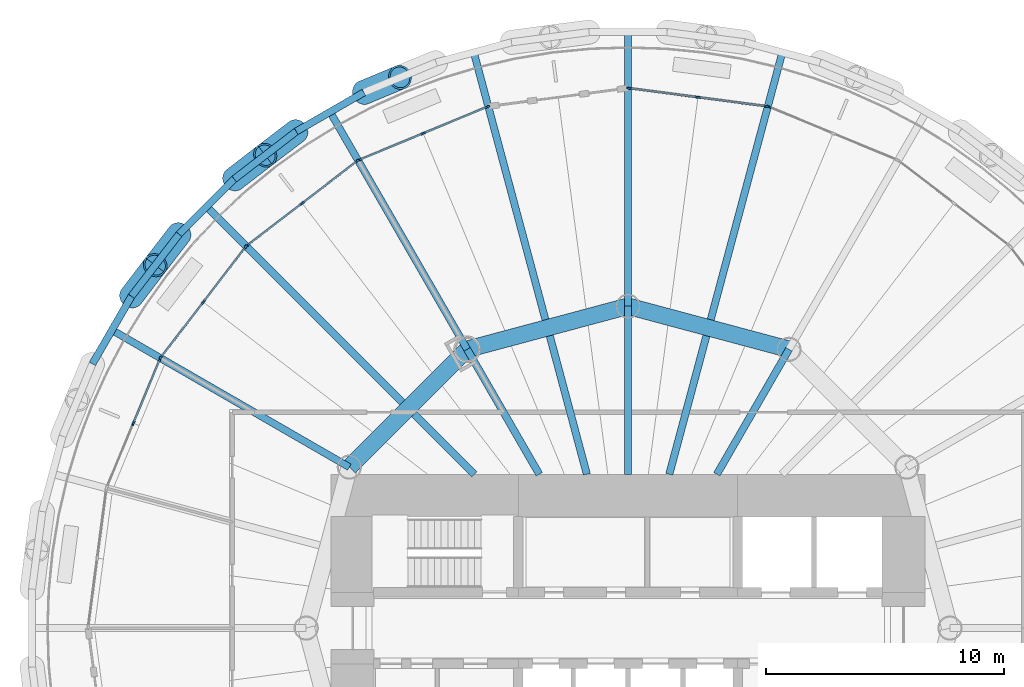
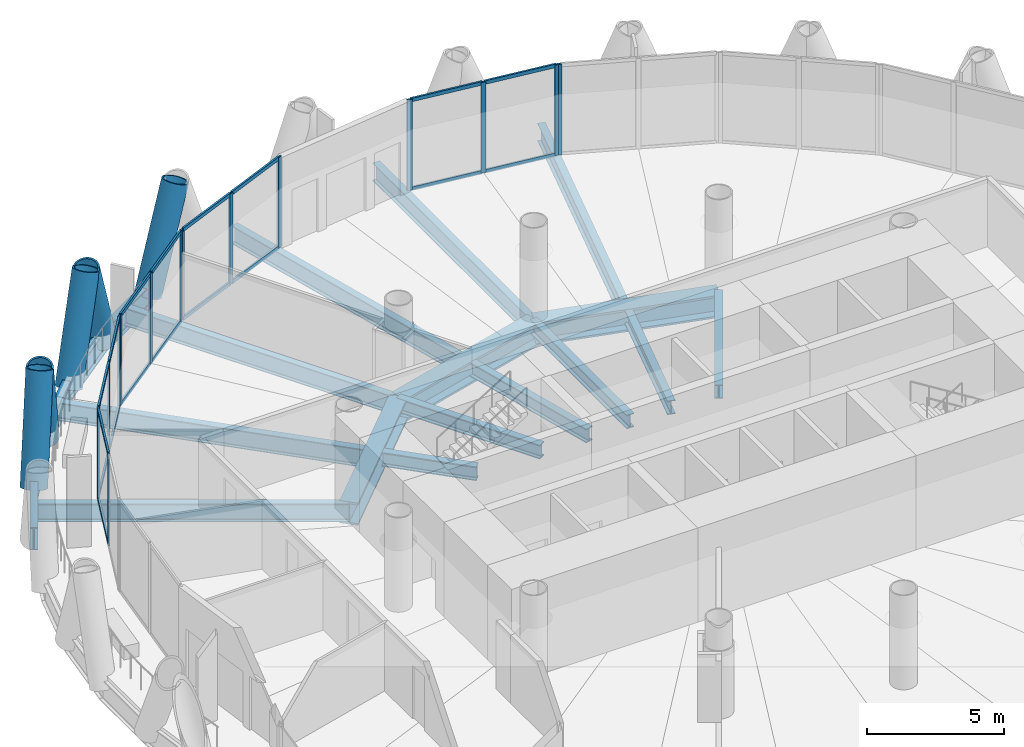
# One storey, part 6 of 15: 38 members, 20 beams, 6 elements without a shape of their own.
"""IFC4 building model written with IfcOpenShell, lengths in metres."""

import ifcopenshell
import ifcopenshell.guid

model = None  # the IFC model being written
_history = None  # IfcOwnerHistory: only IFC2X3 demands one
_inside = {}  # id of a spatial element -> (the spatial element, [elements in it])
_under = {}  # id of a project, library or spatial element -> (it, [spatial elements below it])
_declared = {}  # id of a project -> (the project, [libraries it declares])
_typed = {}  # id of a type object -> (the type object, [elements of that type])
_made_of = {}  # id of a material, layer set ... -> (it, [elements and type objects made of it])


def new_model(schema):
    """Start an empty IFC model of exactly this schema.

    Asked for "IFC4X3", IfcOpenShell would pick the latest addendum, in which some entities
    have other attributes; the version numbers below select the first issue.
    IFC2X3 requires an IfcOwnerHistory on every rooted entity: one is made here for all.
    """
    global model, _history
    if schema == "IFC4X3":
        model = ifcopenshell.file(schema_version=(4, 3, 0, 0))
    else:
        model = ifcopenshell.file(schema=schema)
    _inside.clear()
    _under.clear()
    _declared.clear()
    _typed.clear()
    _made_of.clear()
    _history = None
    if model.schema == "IFC2X3":
        org = make("IfcOrganization", Name="unknown")
        user = make(
            "IfcPersonAndOrganization",
            ThePerson=make("IfcPerson", FamilyName="unknown"),
            TheOrganization=org,
        )
        app = make(
            "IfcApplication",
            ApplicationDeveloper=org,
            Version="unknown",
            ApplicationFullName="unknown",
            ApplicationIdentifier="unknown",
        )
        _history = make(
            "IfcOwnerHistory",
            OwningUser=user,
            OwningApplication=app,
            ChangeAction="ADDED",
            CreationDate=0,
        )
    return model


def make(cls, **values):
    """One entity of the class cls with the attributes given. An attribute that is None is left unset."""
    return model.create_entity(
        cls, **{name: value for name, value in values.items() if value is not None}
    )


def rooted(cls, **values):
    """An entity with a GlobalId (a new one), such as an element, a storey or a relation."""
    return make(cls, GlobalId=ifcopenshell.guid.new(), OwnerHistory=_history, **values)


def si_unit(unit_type, name, prefix=None):
    """IfcSIUnit, for example si_unit("LENGTHUNIT", "METRE", prefix="MILLI")."""
    return make("IfcSIUnit", UnitType=unit_type, Prefix=prefix, Name=name)


def assignment(units):
    """IfcUnitAssignment: the units of a project."""
    return None if units is None else make("IfcUnitAssignment", Units=units)


def point(xyz):
    """IfcCartesianPoint."""
    return None if xyz is None else make("IfcCartesianPoint", Coordinates=xyz)


def direction(xyz):
    """IfcDirection."""
    return None if xyz is None else make("IfcDirection", DirectionRatios=xyz)


def frame(location, z_axis=None, x_axis=None):
    """IfcAxis2Placement3D, a coordinate frame: its origin and axes. An axis left out is left unset."""
    return make(
        "IfcAxis2Placement3D",
        Location=point(location),
        Axis=direction(z_axis),
        RefDirection=direction(x_axis),
    )


def frame_2d(location, x_axis=None):
    """IfcAxis2Placement2D, a coordinate frame in the plane: its origin and x axis."""
    return make(
        "IfcAxis2Placement2D", Location=point(location), RefDirection=direction(x_axis)
    )


def origin():
    """The frame at (0, 0, 0) with its axes left unset."""
    return frame((0.0, 0.0, 0.0))


def origin_2d():
    """The frame at (0, 0) in the plane with its x axis left unset."""
    return frame_2d((0.0, 0.0))


def place(relative_to, where):
    """IfcLocalPlacement: puts the frame where relative to a parent placement (None: the world)."""
    return make(
        "IfcLocalPlacement", PlacementRelTo=relative_to, RelativePlacement=where
    )


def context(
    kind, dimensions, precision=None, world=None, true_north=None, identifier=None
):
    """IfcGeometricRepresentationContext, for example the 3D "Model" context."""
    return make(
        "IfcGeometricRepresentationContext",
        ContextIdentifier=identifier,
        ContextType=kind,
        CoordinateSpaceDimension=dimensions,
        Precision=precision,
        WorldCoordinateSystem=world,
        TrueNorth=true_north,
    )


def subcontext(parent, identifier, kind, view, scale=None):
    """IfcGeometricRepresentationSubContext, for example "Body" below "Model"."""
    return make(
        "IfcGeometricRepresentationSubContext",
        ContextIdentifier=identifier,
        ContextType=kind,
        ParentContext=parent,
        TargetScale=scale,
        TargetView=view,
    )


def project(units=None, contexts=None):
    """IfcProject with its units and contexts."""
    return rooted(
        "IfcProject",
        Name="project",
        RepresentationContexts=contexts,
        UnitsInContext=assignment(units),
    )


def spatial(cls, under=None, at=None, **own):
    """A site, building, storey or space (cls), placed at a placement, below another one or the project."""
    s = rooted(cls, ObjectPlacement=at, **own)
    if under is not None:
        _under.setdefault(under.id(), (under, []))[1].append(s)
    return s


def profile(cls, at=None, kind="AREA", **sizes):
    """A parametric profile (cls). Its sizes go by their IFC names, for example OverallWidth=200.0."""
    return make(cls, ProfileType=kind, Position=at, **sizes)


def rectangle(**sizes):
    """IfcRectangleProfileDef."""
    return profile("IfcRectangleProfileDef", **sizes)


def hollow_circle(**sizes):
    """IfcCircleHollowProfileDef."""
    return profile("IfcCircleHollowProfileDef", **sizes)


def i_section(**sizes):
    """IfcIShapeProfileDef."""
    return profile("IfcIShapeProfileDef", **sizes)


def extrude(swept, where, along, depth):
    """IfcExtrudedAreaSolid: the profile swept, set in the frame where, extruded along a direction by depth."""
    return make(
        "IfcExtrudedAreaSolid",
        SweptArea=swept,
        Position=where,
        ExtrudedDirection=direction(along),
        Depth=depth,
    )


def shape(context_of_items, identifier, shape_type, items):
    """IfcShapeRepresentation: the items that make up one representation, for example the "Body"."""
    return make(
        "IfcShapeRepresentation",
        ContextOfItems=context_of_items,
        RepresentationIdentifier=identifier,
        RepresentationType=shape_type,
        Items=items,
    )


def material(Name=None, Category=None):
    """IfcMaterial."""
    return make("IfcMaterial", Name=Name, Category=Category)


def material_profile(
    of_material, cross_section, Name=None, Category=None, Priority=None
):
    """IfcMaterialProfile: a cross section and its material."""
    return make(
        "IfcMaterialProfile",
        Name=Name,
        Material=of_material,
        Profile=cross_section,
        Priority=Priority,
        Category=Category,
    )


def profile_set(profiles, Name=None, composite=None):
    """IfcMaterialProfileSet."""
    return make(
        "IfcMaterialProfileSet",
        Name=Name,
        MaterialProfiles=profiles,
        CompositeProfile=composite,
    )


def made_of(thing, what):
    """Note that an element or type object is made of a material, layer set ...; save() writes the relation."""
    if what is not None:
        _made_of.setdefault(what.id(), (what, []))[1].append(thing)
    return thing


def type_object(cls, material=None, **own):
    """A type object (cls), such as IfcWallType, which elements share."""
    return made_of(rooted(cls, **own), material)


def element(
    cls,
    number,
    at=None,
    inside=None,
    cuts=None,
    type_object=None,
    material=None,
    context=None,
    identifier="Body",
    shape_type=None,
    held_by="IfcProductDefinitionShape",
    body=None,
    shapes=None,
    **own,
):
    """One element of the class cls, such as IfcWall. Its Tag is "e" and its number.

    at: its placement. inside: the storey or other place that contains it. cuts: it is an
    opening in that element (IfcRelVoidsElement). A single representation is given by context,
    identifier, shape_type and body (its items); several are given by shapes. held_by: the class
    of the entity that holds the representations. save() writes the other relations.
    """
    e = rooted(cls, Tag="e%d" % number, ObjectPlacement=at, **own)
    if body is not None:
        shapes = [shape(context, identifier, shape_type, body)]
    if shapes is not None:
        e.Representation = make(held_by, Representations=shapes)
    if inside is not None:
        _inside.setdefault(inside.id(), (inside, []))[1].append(e)
    if cuts is not None:
        rooted(
            "IfcRelVoidsElement", RelatingBuildingElement=cuts, RelatedOpeningElement=e
        )
    if type_object is not None:
        _typed.setdefault(type_object.id(), (type_object, []))[1].append(e)
    return made_of(e, material)


def aggregate(whole, parts):
    """IfcRelAggregates: a whole, such as a stair, and the parts it consists of."""
    return rooted("IfcRelAggregates", RelatingObject=whole, RelatedObjects=parts)


def save(model, path):
    """Write the relations noted so far, then the file.

    IfcRelAggregates (storeys below a building ...), IfcRelContainedInSpatialStructure (elements
    in a storey), IfcRelDefinesByType, IfcRelAssociatesMaterial and IfcRelDeclares: one each for
    every whole, place, type object, material and project.
    """
    for whole, parts in _under.values():
        aggregate(whole, parts)
    for where, things in _inside.values():
        rooted(
            "IfcRelContainedInSpatialStructure",
            RelatedElements=things,
            RelatingStructure=where,
        )
    for kind, things in _typed.values():
        rooted("IfcRelDefinesByType", RelatedObjects=things, RelatingType=kind)
    for what, things in _made_of.values():
        rooted("IfcRelAssociatesMaterial", RelatedObjects=things, RelatingMaterial=what)
    for by, libraries in _declared.values():
        rooted("IfcRelDeclares", RelatingContext=by, RelatedDefinitions=libraries)
    model.write(path)


model = new_model("IFC4")

# Units and contexts
model_context = context("Model", 3, precision=1e-05, world=origin(), true_north=direction((0.0, 1.0)))
body_context = subcontext(model_context, "Body", "Model", "MODEL_VIEW")
ifc_project = project(units=[si_unit("LENGTHUNIT", "METRE"), si_unit("AREAUNIT", "SQUARE_METRE"), si_unit("VOLUMEUNIT", "CUBIC_METRE"), si_unit("PLANEANGLEUNIT", "RADIAN"), si_unit("MASSUNIT", "GRAM", prefix="KILO")], contexts=[model_context])

# Site, building, storey
site_placement = place(None, origin())
site = spatial("IfcSite", under=ifc_project, at=site_placement, CompositionType="ELEMENT")
building_placement = place(site_placement, origin())
building = spatial("IfcBuilding", under=site, at=building_placement, Name="Qaws Media Tower", CompositionType="ELEMENT")
storey_placement = place(building_placement, frame((0.0, 0.0, 131.0)))
storey = spatial("IfcBuildingStorey", under=building, at=storey_placement, Name="L29", CompositionType="ELEMENT", Elevation=131.0)

# Curtain wall, member
ifc_material_1 = material(Name="Aluminium and clear glass", Category="aluminium")
curtain_wall_type = type_object("IfcCurtainWallType", Name="Unitised curtain wall CW-B", PredefinedType="NOTDEFINED", material=ifc_material_1)
curtain_wall_1_placement = place(storey_placement, origin())
curtain_wall_1 = element("IfcCurtainWall", 1, at=curtain_wall_1_placement, inside=storey, type_object=curtain_wall_type, Name="CWB curtain wall L29-05", PredefinedType="NOTDEFINED")
ifc_material_2 = material(Name="Aluminium mullion", Category="aluminium")
ifc_material_profile_1 = material_profile(ifc_material_2, rectangle(XDim=0.080078125, YDim=0.199951171875, at=origin_2d()), Name="80x200")
ifc_profile_set_1 = profile_set([ifc_material_profile_1], Name="Aluminium mullion")
member_type_1 = type_object("IfcMemberType", Name="Curtain wall mullion 80x200", PredefinedType="MULLION", material=ifc_profile_set_1)
member_1_placement = place(storey_placement, frame((65.899169921875, 71.86279296875, 0.0), z_axis=(0.0, 0.0, 1.0), x_axis=(-0.382683472258, -0.923879515987, 0.0)))
member_1 = element("IfcMember", 2, at=member_1_placement, type_object=member_type_1, Name="CWB mullion 3", PredefinedType="MULLION", context=body_context, shape_type="SweptSolid", body=[
    extrude(rectangle(XDim=0.080078125, YDim=0.199951171875, at=origin_2d()), origin(), (0.0, 0.0, 1.0), 4.0400390625),
])
aggregate(curtain_wall_1, [member_1])

# Curtain wall, members
curtain_wall_2_placement = place(storey_placement, origin())
curtain_wall_2 = element("IfcCurtainWall", 3, at=curtain_wall_2_placement, inside=storey, type_object=curtain_wall_type, Name="CWB curtain wall L29-06", PredefinedType="NOTDEFINED")
member_2_placement = place(storey_placement, frame((65.822509765625, 71.883544921875, 0.0), z_axis=(0.0, 0.0, 1.0), x_axis=(-0.130526194608, -0.991444861059, 0.0)))
member_2 = element("IfcMember", 4, at=member_2_placement, type_object=member_type_1, Name="CWB mullion 1", PredefinedType="MULLION", context=body_context, shape_type="SweptSolid", body=[
    extrude(rectangle(XDim=0.080078125, YDim=0.199951171875, at=origin_2d()), origin(), (0.0, 0.0, 1.0), 4.0400390625),
])
member_3_placement = place(storey_placement, frame((62.93115234375, 72.26416015625, 0.0), z_axis=(0.0, 0.0, 1.0), x_axis=(-0.130526194608, -0.991444861059, 0.0)))
member_3 = element("IfcMember", 5, at=member_3_placement, type_object=member_type_1, Name="CWB mullion 2", PredefinedType="MULLION", context=body_context, shape_type="SweptSolid", body=[
    extrude(rectangle(XDim=0.080078125, YDim=0.199951171875, at=origin_2d()), origin(), (0.0, 0.0, 1.0), 4.0400390625),
])
member_4_placement = place(storey_placement, frame((60.03955078125, 72.644775390625, 0.0), z_axis=(0.0, 0.0, 1.0), x_axis=(-0.130526194608, -0.991444861059, 0.0)))
member_4 = element("IfcMember", 6, at=member_4_placement, type_object=member_type_1, Name="CWB mullion 3", PredefinedType="MULLION", context=body_context, shape_type="SweptSolid", body=[
    extrude(rectangle(XDim=0.080078125, YDim=0.199951171875, at=origin_2d()), origin(), (0.0, 0.0, 1.0), 4.0400390625),
])

curtain_wall_3_placement = place(storey_placement, origin())
curtain_wall_3 = element("IfcCurtainWall", 7, at=curtain_wall_3_placement, inside=storey, type_object=curtain_wall_type, Name="CWB curtain wall L29-08", PredefinedType="NOTDEFINED")
member_5_placement = place(storey_placement, frame((54.100830078125, 71.86279296875, 0.0), z_axis=(0.0, 0.0, 1.0), x_axis=(0.382683472258, -0.923879515987, 0.0)))
member_5 = element("IfcMember", 8, at=member_5_placement, type_object=member_type_1, Name="CWB mullion 1", PredefinedType="MULLION", context=body_context, shape_type="SweptSolid", body=[
    extrude(rectangle(XDim=0.080078125, YDim=0.199951171875, at=origin_2d()), origin(), (0.0, 0.0, 1.0), 4.0400390625),
])
member_6_placement = place(storey_placement, frame((51.406494140625, 70.746826171875, 0.0), z_axis=(0.0, 0.0, 1.0), x_axis=(0.382683472258, -0.923879515987, 0.0)))
member_6 = element("IfcMember", 9, at=member_6_placement, type_object=member_type_1, Name="CWB mullion 2", PredefinedType="MULLION", context=body_context, shape_type="SweptSolid", body=[
    extrude(rectangle(XDim=0.080078125, YDim=0.199951171875, at=origin_2d()), origin(), (0.0, 0.0, 1.0), 4.0400390625),
])
member_7_placement = place(storey_placement, frame((48.7119140625, 69.630859375, 0.0), z_axis=(0.0, 0.0, 1.0), x_axis=(0.382683472258, -0.923879515987, 0.0)))
member_7 = element("IfcMember", 10, at=member_7_placement, type_object=member_type_1, Name="CWB mullion 3", PredefinedType="MULLION", context=body_context, shape_type="SweptSolid", body=[
    extrude(rectangle(XDim=0.080078125, YDim=0.199951171875, at=origin_2d()), origin(), (0.0, 0.0, 1.0), 4.0400390625),
])

curtain_wall_4_placement = place(storey_placement, origin())
curtain_wall_4 = element("IfcCurtainWall", 11, at=curtain_wall_4_placement, inside=storey, type_object=curtain_wall_type, Name="CWB curtain wall L29-09", PredefinedType="NOTDEFINED")
member_8_placement = place(storey_placement, frame((48.643310546875, 69.591064453125, 0.0), z_axis=(0.0, 0.0, 1.0), x_axis=(0.608761310482, -0.79335343124, 0.0)))
member_8 = element("IfcMember", 12, at=member_8_placement, type_object=member_type_1, Name="CWB mullion 1", PredefinedType="MULLION", context=body_context, shape_type="SweptSolid", body=[
    extrude(rectangle(XDim=0.080078125, YDim=0.199951171875, at=origin_2d()), origin(), (0.0, 0.0, 1.0), 4.0400390625),
])
member_9_placement = place(storey_placement, frame((46.32958984375, 67.815673828125, 0.0), z_axis=(0.0, 0.0, 1.0), x_axis=(0.608761310482, -0.79335343124, 0.0)))
member_9 = element("IfcMember", 13, at=member_9_placement, type_object=member_type_1, Name="CWB mullion 2", PredefinedType="MULLION", context=body_context, shape_type="SweptSolid", body=[
    extrude(rectangle(XDim=0.080078125, YDim=0.199951171875, at=origin_2d()), origin(), (0.0, 0.0, 1.0), 4.0400390625),
])
member_10_placement = place(storey_placement, frame((44.015869140625, 66.040283203125, 0.0), z_axis=(0.0, 0.0, 1.0), x_axis=(0.608761310482, -0.79335343124, 0.0)))
member_10 = element("IfcMember", 14, at=member_10_placement, type_object=member_type_1, Name="CWB mullion 3", PredefinedType="MULLION", context=body_context, shape_type="SweptSolid", body=[
    extrude(rectangle(XDim=0.080078125, YDim=0.199951171875, at=origin_2d()), origin(), (0.0, 0.0, 1.0), 4.0400390625),
])

curtain_wall_5_placement = place(storey_placement, origin())
curtain_wall_5 = element("IfcCurtainWall", 15, at=curtain_wall_5_placement, inside=storey, type_object=curtain_wall_type, Name="CWB curtain wall L29-10", PredefinedType="NOTDEFINED")
member_11_placement = place(storey_placement, frame((43.959716796875, 65.984130859375, 0.0), z_axis=(0.0, 0.0, 1.0), x_axis=(0.79335343124, -0.608761310482, 0.0)))
member_11 = element("IfcMember", 16, at=member_11_placement, type_object=member_type_1, Name="CWB mullion 1", PredefinedType="MULLION", context=body_context, shape_type="SweptSolid", body=[
    extrude(rectangle(XDim=0.080078125, YDim=0.199951171875, at=origin_2d()), origin(), (0.0, 0.0, 1.0), 4.0400390625),
])
member_12_placement = place(storey_placement, frame((42.184326171875, 63.67041015625, 0.0), z_axis=(0.0, 0.0, 1.0), x_axis=(0.79335343124, -0.608761310482, 0.0)))
member_12 = element("IfcMember", 17, at=member_12_placement, type_object=member_type_1, Name="CWB mullion 2", PredefinedType="MULLION", context=body_context, shape_type="SweptSolid", body=[
    extrude(rectangle(XDim=0.080078125, YDim=0.199951171875, at=origin_2d()), origin(), (0.0, 0.0, 1.0), 4.0400390625),
])
member_13_placement = place(storey_placement, frame((40.408935546875, 61.356689453125, 0.0), z_axis=(0.0, 0.0, 1.0), x_axis=(0.79335343124, -0.608761310482, 0.0)))
member_13 = element("IfcMember", 18, at=member_13_placement, type_object=member_type_1, Name="CWB mullion 3", PredefinedType="MULLION", context=body_context, shape_type="SweptSolid", body=[
    extrude(rectangle(XDim=0.080078125, YDim=0.199951171875, at=origin_2d()), origin(), (0.0, 0.0, 1.0), 4.0400390625),
])

curtain_wall_6_placement = place(storey_placement, origin())
curtain_wall_6 = element("IfcCurtainWall", 19, at=curtain_wall_6_placement, inside=storey, type_object=curtain_wall_type, Name="CWB curtain wall L29-11", PredefinedType="NOTDEFINED")
member_14_placement = place(storey_placement, frame((40.369140625, 61.2880859375, 0.0), z_axis=(0.0, 0.0, 1.0), x_axis=(0.923879515987, -0.382683472258, 0.0)))
member_14 = element("IfcMember", 20, at=member_14_placement, type_object=member_type_1, Name="CWB mullion 1", PredefinedType="MULLION", context=body_context, shape_type="SweptSolid", body=[
    extrude(rectangle(XDim=0.080078125, YDim=0.199951171875, at=origin_2d()), origin(), (0.0, 0.0, 1.0), 4.0400390625),
])
member_15_placement = place(storey_placement, frame((39.253173828125, 58.593505859375, 0.0), z_axis=(0.0, 0.0, 1.0), x_axis=(0.923879515987, -0.382683472258, 0.0)))
member_15 = element("IfcMember", 21, at=member_15_placement, type_object=member_type_1, Name="CWB mullion 2", PredefinedType="MULLION", context=body_context, shape_type="SweptSolid", body=[
    extrude(rectangle(XDim=0.080078125, YDim=0.199951171875, at=origin_2d()), origin(), (0.0, 0.0, 1.0), 4.0400390625),
])

# Member
ifc_material_3 = material(Name="Aluminium transom", Category="aluminium")
ifc_material_profile_2 = material_profile(ifc_material_3, rectangle(XDim=0.080078125, YDim=0.159912109375, at=origin_2d()), Name="80x160")
ifc_profile_set_2 = profile_set([ifc_material_profile_2], Name="Aluminium transom")
member_type_2 = type_object("IfcMemberType", Name="Curtain wall transom 80x160", PredefinedType="USERDEFINED", material=ifc_profile_set_2)
member_16_placement = place(storey_placement, frame((65.782958984375, 71.888671875, 0.0400390625), z_axis=(-0.991450486674, 0.130483456706, 0.0), x_axis=(-0.130483456706, -0.991450486674, 0.0)))
member_16 = element("IfcMember", 22, at=member_16_placement, type_object=member_type_2, Name="CWB transom 1.1", ObjectType="TRANSOM", PredefinedType="USERDEFINED", context=body_context, shape_type="SweptSolid", body=[
    extrude(rectangle(XDim=0.080078125, YDim=0.159912109375, at=origin_2d()), origin(), (0.0, 0.0, 1.0), 2.83642578125),
])

member_17_placement = place(storey_placement, frame((65.782958984375, 71.888671875, 4.0), z_axis=(-0.991450486674, 0.130483456706, 0.0), x_axis=(-0.130483456706, -0.991450486674, 0.0)))
member_17 = element("IfcMember", 23, at=member_17_placement, type_object=member_type_2, Name="CWB transom 1.2", ObjectType="TRANSOM", PredefinedType="USERDEFINED", context=body_context, shape_type="SweptSolid", body=[
    extrude(rectangle(XDim=0.080078125, YDim=0.159912109375, at=origin_2d()), origin(), (0.0, 0.0, 1.0), 2.83642578125),
])

member_18_placement = place(storey_placement, frame((62.891357421875, 72.269287109375, 0.0400390625), z_axis=(-0.991437880872, 0.130579203445, 0.0), x_axis=(-0.130579203445, -0.991437880872, 0.0)))
member_18 = element("IfcMember", 24, at=member_18_placement, type_object=member_type_2, Name="CWB transom 2.1", ObjectType="TRANSOM", PredefinedType="USERDEFINED", context=body_context, shape_type="SweptSolid", body=[
    extrude(rectangle(XDim=0.080078125, YDim=0.159912109375, at=origin_2d()), origin(), (0.0, 0.0, 1.0), 2.836181640625),
])

member_19_placement = place(storey_placement, frame((62.891357421875, 72.269287109375, 4.0), z_axis=(-0.991437880872, 0.130579203445, 0.0), x_axis=(-0.130579203445, -0.991437880872, 0.0)))
member_19 = element("IfcMember", 25, at=member_19_placement, type_object=member_type_2, Name="CWB transom 2.2", ObjectType="TRANSOM", PredefinedType="USERDEFINED", context=body_context, shape_type="SweptSolid", body=[
    extrude(rectangle(XDim=0.080078125, YDim=0.159912109375, at=origin_2d()), origin(), (0.0, 0.0, 1.0), 2.836181640625),
])

aggregate(curtain_wall_2, [member_2, member_3, member_4, member_16, member_17, member_18, member_19])

member_20_placement = place(storey_placement, frame((54.063720703125, 71.84765625, 0.0400390625), z_axis=(-0.92387205082, -0.382701494265, 0.0), x_axis=(0.382701494265, -0.92387205082, 0.0)))
member_20 = element("IfcMember", 26, at=member_20_placement, type_object=member_type_2, Name="CWB transom 1.1", ObjectType="TRANSOM", PredefinedType="USERDEFINED", context=body_context, shape_type="SweptSolid", body=[
    extrude(rectangle(XDim=0.080078125, YDim=0.159912109375, at=origin_2d()), origin(), (0.0, 0.0, 1.0), 2.836181640625),
])

member_21_placement = place(storey_placement, frame((54.063720703125, 71.84765625, 4.0), z_axis=(-0.92387205082, -0.382701494265, 0.0), x_axis=(0.382701494265, -0.92387205082, 0.0)))
member_21 = element("IfcMember", 27, at=member_21_placement, type_object=member_type_2, Name="CWB transom 1.2", ObjectType="TRANSOM", PredefinedType="USERDEFINED", context=body_context, shape_type="SweptSolid", body=[
    extrude(rectangle(XDim=0.080078125, YDim=0.159912109375, at=origin_2d()), origin(), (0.0, 0.0, 1.0), 2.836181640625),
])

member_22_placement = place(storey_placement, frame((51.369384765625, 70.7314453125, 0.0400390625), z_axis=(-0.92387205082, -0.382701494265, 0.0), x_axis=(0.382701494265, -0.92387205082, 0.0)))
member_22 = element("IfcMember", 28, at=member_22_placement, type_object=member_type_2, Name="CWB transom 2.1", ObjectType="TRANSOM", PredefinedType="USERDEFINED", context=body_context, shape_type="SweptSolid", body=[
    extrude(rectangle(XDim=0.080078125, YDim=0.159912109375, at=origin_2d()), origin(), (0.0, 0.0, 1.0), 2.836181640625),
])

member_23_placement = place(storey_placement, frame((51.369384765625, 70.7314453125, 4.0), z_axis=(-0.92387205082, -0.382701494265, 0.0), x_axis=(0.382701494265, -0.92387205082, 0.0)))
member_23 = element("IfcMember", 29, at=member_23_placement, type_object=member_type_2, Name="CWB transom 2.2", ObjectType="TRANSOM", PredefinedType="USERDEFINED", context=body_context, shape_type="SweptSolid", body=[
    extrude(rectangle(XDim=0.080078125, YDim=0.159912109375, at=origin_2d()), origin(), (0.0, 0.0, 1.0), 2.836181640625),
])

aggregate(curtain_wall_3, [member_5, member_6, member_7, member_20, member_21, member_22, member_23])

member_24_placement = place(storey_placement, frame((48.611572265625, 69.56689453125, 0.0400390625), z_axis=(-0.793330594722, -0.608791070465, 0.0), x_axis=(0.608791070465, -0.793330594722, 0.0)))
member_24 = element("IfcMember", 30, at=member_24_placement, type_object=member_type_2, Name="CWB transom 1.1", ObjectType="TRANSOM", PredefinedType="USERDEFINED", context=body_context, shape_type="SweptSolid", body=[
    extrude(rectangle(XDim=0.080078125, YDim=0.159912109375, at=origin_2d()), origin(), (0.0, 0.0, 1.0), 2.83642578125),
])

member_25_placement = place(storey_placement, frame((48.611572265625, 69.56689453125, 4.0), z_axis=(-0.793330594722, -0.608791070465, 0.0), x_axis=(0.608791070465, -0.793330594722, 0.0)))
member_25 = element("IfcMember", 31, at=member_25_placement, type_object=member_type_2, Name="CWB transom 1.2", ObjectType="TRANSOM", PredefinedType="USERDEFINED", context=body_context, shape_type="SweptSolid", body=[
    extrude(rectangle(XDim=0.080078125, YDim=0.159912109375, at=origin_2d()), origin(), (0.0, 0.0, 1.0), 2.83642578125),
])

member_26_placement = place(storey_placement, frame((46.2978515625, 67.791259765625, 0.0400390625), z_axis=(-0.793372165728, -0.608736894437, 0.0), x_axis=(0.608736894437, -0.793372165728, 0.0)))
member_26 = element("IfcMember", 32, at=member_26_placement, type_object=member_type_2, Name="CWB transom 2.1", ObjectType="TRANSOM", PredefinedType="USERDEFINED", context=body_context, shape_type="SweptSolid", body=[
    extrude(rectangle(XDim=0.080078125, YDim=0.159912109375, at=origin_2d()), origin(), (0.0, 0.0, 1.0), 2.836181640625),
])

member_27_placement = place(storey_placement, frame((46.2978515625, 67.791259765625, 4.0), z_axis=(-0.793372165728, -0.608736894437, 0.0), x_axis=(0.608736894437, -0.793372165728, 0.0)))
member_27 = element("IfcMember", 33, at=member_27_placement, type_object=member_type_2, Name="CWB transom 2.2", ObjectType="TRANSOM", PredefinedType="USERDEFINED", context=body_context, shape_type="SweptSolid", body=[
    extrude(rectangle(XDim=0.080078125, YDim=0.159912109375, at=origin_2d()), origin(), (0.0, 0.0, 1.0), 2.836181640625),
])

aggregate(curtain_wall_4, [member_8, member_9, member_10, member_24, member_25, member_26, member_27])

member_28_placement = place(storey_placement, frame((43.935302734375, 65.952392578125, 0.0400390625), z_axis=(-0.608736894437, -0.793372165728, 0.0), x_axis=(0.793372165728, -0.608736894437, 0.0)))
member_28 = element("IfcMember", 34, at=member_28_placement, type_object=member_type_2, Name="CWB transom 1.1", ObjectType="TRANSOM", PredefinedType="USERDEFINED", context=body_context, shape_type="SweptSolid", body=[
    extrude(rectangle(XDim=0.080078125, YDim=0.159912109375, at=origin_2d()), origin(), (0.0, 0.0, 1.0), 2.836181640625),
])

member_29_placement = place(storey_placement, frame((43.935302734375, 65.952392578125, 4.0), z_axis=(-0.608736894437, -0.793372165728, 0.0), x_axis=(0.793372165728, -0.608736894437, 0.0)))
member_29 = element("IfcMember", 35, at=member_29_placement, type_object=member_type_2, Name="CWB transom 1.2", ObjectType="TRANSOM", PredefinedType="USERDEFINED", context=body_context, shape_type="SweptSolid", body=[
    extrude(rectangle(XDim=0.080078125, YDim=0.159912109375, at=origin_2d()), origin(), (0.0, 0.0, 1.0), 2.836181640625),
])

member_30_placement = place(storey_placement, frame((42.159912109375, 63.638671875, 0.0400390625), z_axis=(-0.608791070465, -0.793330594722, 0.0), x_axis=(0.793330594722, -0.608791070465, 0.0)))
member_30 = element("IfcMember", 36, at=member_30_placement, type_object=member_type_2, Name="CWB transom 2.1", ObjectType="TRANSOM", PredefinedType="USERDEFINED", context=body_context, shape_type="SweptSolid", body=[
    extrude(rectangle(XDim=0.080078125, YDim=0.159912109375, at=origin_2d()), origin(), (0.0, 0.0, 1.0), 2.83642578125),
])

member_31_placement = place(storey_placement, frame((42.159912109375, 63.638671875, 4.0), z_axis=(-0.608791070465, -0.793330594722, 0.0), x_axis=(0.793330594722, -0.608791070465, 0.0)))
member_31 = element("IfcMember", 37, at=member_31_placement, type_object=member_type_2, Name="CWB transom 2.2", ObjectType="TRANSOM", PredefinedType="USERDEFINED", context=body_context, shape_type="SweptSolid", body=[
    extrude(rectangle(XDim=0.080078125, YDim=0.159912109375, at=origin_2d()), origin(), (0.0, 0.0, 1.0), 2.83642578125),
])

aggregate(curtain_wall_5, [member_11, member_12, member_13, member_28, member_29, member_30, member_31])

member_32_placement = place(storey_placement, frame((40.35400390625, 61.2509765625, 0.0400390625), z_axis=(-0.382701494265, -0.92387205082, 0.0), x_axis=(0.92387205082, -0.382701494265, 0.0)))
member_32 = element("IfcMember", 38, at=member_32_placement, type_object=member_type_2, Name="CWB transom 1.1", ObjectType="TRANSOM", PredefinedType="USERDEFINED", context=body_context, shape_type="SweptSolid", body=[
    extrude(rectangle(XDim=0.080078125, YDim=0.159912109375, at=origin_2d()), origin(), (0.0, 0.0, 1.0), 2.836181640625),
])

member_33_placement = place(storey_placement, frame((40.35400390625, 61.2509765625, 4.0), z_axis=(-0.382701494265, -0.92387205082, 0.0), x_axis=(0.92387205082, -0.382701494265, 0.0)))
member_33 = element("IfcMember", 39, at=member_33_placement, type_object=member_type_2, Name="CWB transom 1.2", ObjectType="TRANSOM", PredefinedType="USERDEFINED", context=body_context, shape_type="SweptSolid", body=[
    extrude(rectangle(XDim=0.080078125, YDim=0.159912109375, at=origin_2d()), origin(), (0.0, 0.0, 1.0), 2.836181640625),
])

aggregate(curtain_wall_6, [member_14, member_15, member_32, member_33])

# Members
ifc_material_4 = material(Name="Steel S460", Category="steel")
ifc_material_profile_3 = material_profile(ifc_material_4, hollow_circle(Radius=0.508056640625, WallThickness=0.070068359375, at=origin_2d()), Name="CHS 1016x70")
ifc_profile_set_3 = profile_set([ifc_material_profile_3], Name="Steel S460")
member_type_3 = type_object("IfcMemberType", Name="Diagrid member CHS 1016x70", PredefinedType="USERDEFINED", material=ifc_profile_set_3)
for number, where, z_axis, x_axis, name in (
    (40, (46.0830078125, 70.828369140625, -0.6640625), (-0.288805944508, -0.220625429951, 0.931619850624), (0.607057342765, -0.794658028711, 0.0), "DG3 diagrid L29 A09"),
    (41, (48.920654296875, 72.466552734375, -0.6640625), (0.335435922045, 0.139828148324, 0.931628054074), (-0.38476351553, 0.923015187913, 0.0), "DG3 diagrid L29 B09"),
    (42, (41.16650390625, 66.5166015625, -0.6640625), (-0.221872197293, -0.28783273825, 0.93162494753), (0.792008696102, -0.610509807701, 0.0), "DG3 diagrid L29 A10"),
    (43, (43.4833984375, 68.83349609375, -0.6640625), (0.28783273825, 0.221872197293, 0.93162494753), (-0.610509807701, 0.792008696102, 0.0), "DG3 diagrid L29 B10"),
    (44, (39.171630859375, 63.9169921875, -0.6640625), (0.220625429951, 0.288805944508, 0.931619850624), (-0.794658028711, 0.607057342765, 0.0), "DG3 diagrid L29 B11"),
):
    element("IfcMember", number, at=place(storey_placement, frame(where, z_axis=z_axis, x_axis=x_axis)), inside=storey, type_object=member_type_3, Name=name, ObjectType="DIAGRID", PredefinedType="USERDEFINED", context=body_context, shape_type="SweptSolid", body=[
        extrude(hollow_circle(Radius=0.508056640625, WallThickness=0.070068359375, at=origin_2d()), origin(), (0.0, 0.0, 1.0), 4.50830078125),
    ])

# Beams
ifc_material_5 = material(Name="Steel S460", Category="steel")
ifc_material_profile_4 = material_profile(ifc_material_5, i_section(OverallWidth=0.302001953125, OverallDepth=1.008056640625, WebThickness=0.02099609375, FlangeThickness=0.0400390625, FilletRadius=0.030029296875, at=origin_2d()), Name="HE 1000 M")
ifc_profile_set_4 = profile_set([ifc_material_profile_4], Name="Steel S460")
beam_type_1 = type_object("IfcBeamType", Name="Edge ring beam HE 1000 M", PredefinedType="BEAM", material=ifc_profile_set_4)
beam_1_placement = place(storey_placement, frame((48.920654296875, 72.466552734375, -0.6640625), z_axis=(-0.866042896256, -0.499969700927, 0.0), x_axis=(0.499969700927, -0.866042896256, 0.0)))
element("IfcBeam", 45, at=beam_1_placement, inside=storey, type_object=beam_type_1, Name="RB3 edge ring beam L29-16", PredefinedType="BEAM", context=body_context, shape_type="SweptSolid", body=[
    extrude(i_section(OverallWidth=0.302001953125, OverallDepth=1.008056640625, WebThickness=0.02099609375, FlangeThickness=0.0400390625, FilletRadius=0.030029296875, at=origin_2d()), origin(), (0.0, 0.0, 1.0), 3.276611328125),
])
beam_2_placement = place(storey_placement, frame((46.0830078125, 70.828369140625, -0.6640625), z_axis=(-0.793335267914, -0.608784980665, 0.0), x_axis=(0.608784980665, -0.793335267914, 0.0)))
element("IfcBeam", 46, at=beam_2_placement, inside=storey, type_object=beam_type_1, Name="RB3 edge ring beam L29-17", PredefinedType="BEAM", context=body_context, shape_type="SweptSolid", body=[
    extrude(i_section(OverallWidth=0.302001953125, OverallDepth=1.008056640625, WebThickness=0.02099609375, FlangeThickness=0.0400390625, FilletRadius=0.030029296875, at=origin_2d()), origin(), (0.0, 0.0, 1.0), 3.27685546875),
])
beam_3_placement = place(storey_placement, frame((43.4833984375, 68.83349609375, -0.6640625), z_axis=(-0.707106781187, -0.707106781187, 0.0), x_axis=(0.707106781187, -0.707106781187, 0.0)))
element("IfcBeam", 47, at=beam_3_placement, inside=storey, type_object=beam_type_1, Name="RB3 edge ring beam L29-18", PredefinedType="BEAM", context=body_context, shape_type="SweptSolid", body=[
    extrude(i_section(OverallWidth=0.302001953125, OverallDepth=1.008056640625, WebThickness=0.02099609375, FlangeThickness=0.0400390625, FilletRadius=0.030029296875, at=origin_2d()), origin(), (0.0, 0.0, 1.0), 3.276611328125),
])
beam_4_placement = place(storey_placement, frame((41.16650390625, 66.5166015625, -0.6640625), z_axis=(-0.608784980665, -0.793335267914, 0.0), x_axis=(0.793335267914, -0.608784980665, 0.0)))
element("IfcBeam", 48, at=beam_4_placement, inside=storey, type_object=beam_type_1, Name="RB3 edge ring beam L29-19", PredefinedType="BEAM", context=body_context, shape_type="SweptSolid", body=[
    extrude(i_section(OverallWidth=0.302001953125, OverallDepth=1.008056640625, WebThickness=0.02099609375, FlangeThickness=0.0400390625, FilletRadius=0.030029296875, at=origin_2d()), origin(), (0.0, 0.0, 1.0), 3.27685546875),
])
beam_5_placement = place(storey_placement, frame((39.171630859375, 63.9169921875, -0.6640625), z_axis=(-0.499969700927, -0.866042896256, 0.0), x_axis=(0.866042896256, -0.499969700927, 0.0)))
element("IfcBeam", 49, at=beam_5_placement, inside=storey, type_object=beam_type_1, Name="RB3 edge ring beam L29-20", PredefinedType="BEAM", context=body_context, shape_type="SweptSolid", body=[
    extrude(i_section(OverallWidth=0.302001953125, OverallDepth=1.008056640625, WebThickness=0.02099609375, FlangeThickness=0.0400390625, FilletRadius=0.030029296875, at=origin_2d()), origin(), (0.0, 0.0, 1.0), 3.276611328125),
])
ifc_material_6 = material(Name="Steel S460", Category="steel")
ifc_material_profile_5 = material_profile(ifc_material_6, i_section(OverallWidth=0.699951171875, OverallDepth=1.0, WebThickness=0.034912109375, FlangeThickness=0.090087890625, at=origin_2d()), Name="PG 1000x700")
ifc_profile_set_5 = profile_set([ifc_material_profile_5], Name="Steel S460")
beam_type_2 = type_object("IfcBeamType", Name="Inner ring girder PG 1000x700", PredefinedType="BEAM", material=ifc_profile_set_5)
for number, where, z_axis, x_axis, name in (
    (50, (66.75, 61.69140625, -0.659912109375), (-0.965928090778, 0.258810593767, 0.0), (-0.258810593767, -0.965928090778, 0.0), "B3 inner ring beam L29 I03-I04"),
    (51, (60.0, 63.5, -0.659912109375), (-0.965928090778, -0.258810593767, 0.0), (0.258810593767, -0.965928090778, 0.0), "B3 inner ring beam L29 I04-I05"),
):
    element("IfcBeam", number, at=place(storey_placement, frame(where, z_axis=z_axis, x_axis=x_axis)), inside=storey, type_object=beam_type_2, Name=name, PredefinedType="BEAM", context=body_context, shape_type="SweptSolid", body=[
        extrude(i_section(OverallWidth=0.699951171875, OverallDepth=1.0, WebThickness=0.034912109375, FlangeThickness=0.090087890625, at=origin_2d()), origin(), (0.0, 0.0, 1.0), 6.988037109375),
    ])
beam_6_placement = place(storey_placement, frame((53.25, 61.69140625, -0.659912109375), z_axis=(-0.707106781187, -0.707106781187, 0.0), x_axis=(0.707106781187, -0.707106781187, 0.0)))
element("IfcBeam", 52, at=beam_6_placement, inside=storey, type_object=beam_type_2, Name="B3 inner ring beam L29 I05-I06", PredefinedType="BEAM", context=body_context, shape_type="SweptSolid", body=[
    extrude(i_section(OverallWidth=0.699951171875, OverallDepth=1.0, WebThickness=0.034912109375, FlangeThickness=0.090087890625, at=origin_2d()), origin(), (0.0, 0.0, 1.0), 6.98828125),
])
ifc_material_7 = material(Name="Steel S355", Category="steel")
ifc_material_profile_6 = material_profile(ifc_material_7, i_section(OverallWidth=0.304931640625, OverallDepth=0.6201171875, WebThickness=0.02099609375, FlangeThickness=0.0400390625, FilletRadius=0.027099609375, at=origin_2d()), Name="HE 600 M")
ifc_profile_set_6 = profile_set([ifc_material_profile_6], Name="Steel S355")
beam_type_3 = type_object("IfcBeamType", Name="Radial beam HE 600 M, core side", PredefinedType="BEAM", material=ifc_profile_set_6)
beam_7_placement = place(storey_placement, frame((63.723876953125, 56.449951171875, -0.469970703125), z_axis=(0.499995978368, 0.866027725662, 0.0), x_axis=(-0.866027725662, 0.499995978368, 0.0)))
element("IfcBeam", 53, at=beam_7_placement, inside=storey, type_object=beam_type_3, Name="B2 radial beam L29 05", PredefinedType="BEAM", context=body_context, shape_type="SweptSolid", body=[
    extrude(i_section(OverallWidth=0.304931640625, OverallDepth=0.6201171875, WebThickness=0.02099609375, FlangeThickness=0.0400390625, FilletRadius=0.027099609375, at=origin_2d()), origin(), (0.0, 0.0, 1.0), 6.05224609375),
])
beam_8_placement = place(storey_placement, frame((61.728271484375, 56.449951171875, -0.469970703125), z_axis=(0.258819977482, 0.965925576458, 0.0), x_axis=(-0.965925576458, 0.258819977482, 0.0)))
element("IfcBeam", 54, at=beam_8_placement, inside=storey, type_object=beam_type_3, Name="B2 radial beam L29 06", PredefinedType="BEAM", context=body_context, shape_type="SweptSolid", body=[
    extrude(i_section(OverallWidth=0.304931640625, OverallDepth=0.6201171875, WebThickness=0.02099609375, FlangeThickness=0.0400390625, FilletRadius=0.027099609375, at=origin_2d()), origin(), (0.0, 0.0, 1.0), 6.012451171875),
])
beam_9_placement = place(storey_placement, frame((60.0, 56.449951171875, -0.469970703125), z_axis=(0.0, 1.0, 0.0), x_axis=(-1.0, 0.0, 0.0)))
element("IfcBeam", 55, at=beam_9_placement, inside=storey, type_object=beam_type_3, Name="B2 radial beam L29 07", PredefinedType="BEAM", context=body_context, shape_type="SweptSolid", body=[
    extrude(i_section(OverallWidth=0.304931640625, OverallDepth=0.6201171875, WebThickness=0.02099609375, FlangeThickness=0.0400390625, FilletRadius=0.027099609375, at=origin_2d()), origin(), (0.0, 0.0, 1.0), 7.050048828125),
])
beam_10_placement = place(storey_placement, frame((58.271728515625, 56.449951171875, -0.469970703125), z_axis=(-0.258819977482, 0.965925576458, 0.0), x_axis=(-0.965925576458, -0.258819977482, 0.0)))
element("IfcBeam", 56, at=beam_10_placement, inside=storey, type_object=beam_type_3, Name="B2 radial beam L29 08", PredefinedType="BEAM", context=body_context, shape_type="SweptSolid", body=[
    extrude(i_section(OverallWidth=0.304931640625, OverallDepth=0.6201171875, WebThickness=0.02099609375, FlangeThickness=0.0400390625, FilletRadius=0.027099609375, at=origin_2d()), origin(), (0.0, 0.0, 1.0), 6.012451171875),
])
beam_11_placement = place(storey_placement, frame((56.276123046875, 56.449951171875, -0.469970703125), z_axis=(-0.499995978368, 0.866027725662, 0.0), x_axis=(-0.866027725662, -0.499995978368, 0.0)))
element("IfcBeam", 57, at=beam_11_placement, inside=storey, type_object=beam_type_3, Name="B2 radial beam L29 09", PredefinedType="BEAM", context=body_context, shape_type="SweptSolid", body=[
    extrude(i_section(OverallWidth=0.304931640625, OverallDepth=0.6201171875, WebThickness=0.02099609375, FlangeThickness=0.0400390625, FilletRadius=0.027099609375, at=origin_2d()), origin(), (0.0, 0.0, 1.0), 6.05224609375),
])
beam_12_placement = place(storey_placement, frame((53.550048828125, 56.449951171875, -0.469970703125), z_axis=(-0.707106781187, 0.707106781187, 0.0), x_axis=(-0.707106781187, -0.707106781187, 0.0)))
element("IfcBeam", 58, at=beam_12_placement, inside=storey, type_object=beam_type_3, Name="B2 radial beam L29 10", PredefinedType="BEAM", context=body_context, shape_type="SweptSolid", body=[
    extrude(i_section(OverallWidth=0.304931640625, OverallDepth=0.6201171875, WebThickness=0.02099609375, FlangeThickness=0.0400390625, FilletRadius=0.027099609375, at=origin_2d()), origin(), (0.0, 0.0, 1.0), 3.568359375),
])
ifc_material_8 = material(Name="Steel S355", Category="steel")
ifc_material_profile_7 = material_profile(ifc_material_8, i_section(OverallWidth=0.300048828125, OverallDepth=0.800048828125, WebThickness=0.017578125, FlangeThickness=0.032958984375, FilletRadius=0.030029296875, at=origin_2d()), Name="HE 800 B")
ifc_profile_set_7 = profile_set([ifc_material_profile_7], Name="Steel S355")
beam_type_4 = type_object("IfcBeamType", Name="Radial beam HE 800 B", PredefinedType="BEAM", material=ifc_profile_set_7)
beam_13_placement = place(storey_placement, frame((63.465576171875, 62.933837890625, -0.56005859375), z_axis=(0.258819850424, 0.965925610503, 0.0), x_axis=(-0.965925610503, 0.258819850424, 0.0)))
element("IfcBeam", 59, at=beam_13_placement, inside=storey, type_object=beam_type_4, Name="B1 radial beam L29 06", PredefinedType="BEAM", context=body_context, shape_type="SweptSolid", body=[
    extrude(i_section(OverallWidth=0.300048828125, OverallDepth=0.800048828125, WebThickness=0.017578125, FlangeThickness=0.032958984375, FilletRadius=0.030029296875, at=origin_2d()), origin(), (0.0, 0.0, 1.0), 11.606201171875),
])
beam_14_placement = place(storey_placement, frame((60.0, 63.5, -0.56005859375), z_axis=(0.0, 1.0, 0.0), x_axis=(-1.0, 0.0, 0.0)))
element("IfcBeam", 60, at=beam_14_placement, inside=storey, type_object=beam_type_4, Name="B1 radial beam L29 07", PredefinedType="BEAM", context=body_context, shape_type="SweptSolid", body=[
    extrude(i_section(OverallWidth=0.300048828125, OverallDepth=0.800048828125, WebThickness=0.017578125, FlangeThickness=0.032958984375, FilletRadius=0.030029296875, at=origin_2d()), origin(), (0.0, 0.0, 1.0), 11.496337890625),
])
beam_15_placement = place(storey_placement, frame((56.534423828125, 62.933837890625, -0.56005859375), z_axis=(-0.258819850424, 0.965925610503, 0.0), x_axis=(-0.965925610503, -0.258819850424, 0.0)))
element("IfcBeam", 61, at=beam_15_placement, inside=storey, type_object=beam_type_4, Name="B1 radial beam L29 08", PredefinedType="BEAM", context=body_context, shape_type="SweptSolid", body=[
    extrude(i_section(OverallWidth=0.300048828125, OverallDepth=0.800048828125, WebThickness=0.017578125, FlangeThickness=0.032958984375, FilletRadius=0.030029296875, at=origin_2d()), origin(), (0.0, 0.0, 1.0), 11.606201171875),
])
beam_16_placement = place(storey_placement, frame((53.25, 61.69140625, -0.56005859375), z_axis=(-0.500010448618, 0.866019371188, 0.0), x_axis=(-0.866019371188, -0.500010448618, 0.0)))
element("IfcBeam", 62, at=beam_16_placement, inside=storey, type_object=beam_type_4, Name="B1 radial beam L29 09", PredefinedType="BEAM", context=body_context, shape_type="SweptSolid", body=[
    extrude(i_section(OverallWidth=0.300048828125, OverallDepth=0.800048828125, WebThickness=0.017578125, FlangeThickness=0.032958984375, FilletRadius=0.030029296875, at=origin_2d()), origin(), (0.0, 0.0, 1.0), 11.496337890625),
])
beam_17_placement = place(storey_placement, frame((50.53173828125, 59.46826171875, -0.56005859375), z_axis=(-0.707106781187, 0.707106781187, 0.0), x_axis=(-0.707106781187, -0.707106781187, 0.0)))
element("IfcBeam", 63, at=beam_17_placement, inside=storey, type_object=beam_type_4, Name="B1 radial beam L29 10", PredefinedType="BEAM", context=body_context, shape_type="SweptSolid", body=[
    extrude(i_section(OverallWidth=0.300048828125, OverallDepth=0.800048828125, WebThickness=0.017578125, FlangeThickness=0.032958984375, FilletRadius=0.030029296875, at=origin_2d()), origin(), (0.0, 0.0, 1.0), 11.606201171875),
])
beam_18_placement = place(storey_placement, frame((48.30859375, 56.75, -0.56005859375), z_axis=(-0.866019371188, 0.500010448618, 0.0), x_axis=(-0.500010448618, -0.866019371188, 0.0)))
element("IfcBeam", 64, at=beam_18_placement, inside=storey, type_object=beam_type_4, Name="B1 radial beam L29 11", PredefinedType="BEAM", context=body_context, shape_type="SweptSolid", body=[
    extrude(i_section(OverallWidth=0.300048828125, OverallDepth=0.800048828125, WebThickness=0.017578125, FlangeThickness=0.032958984375, FilletRadius=0.030029296875, at=origin_2d()), origin(), (0.0, 0.0, 1.0), 11.496337890625),
])

save(model, "model.ifc")
